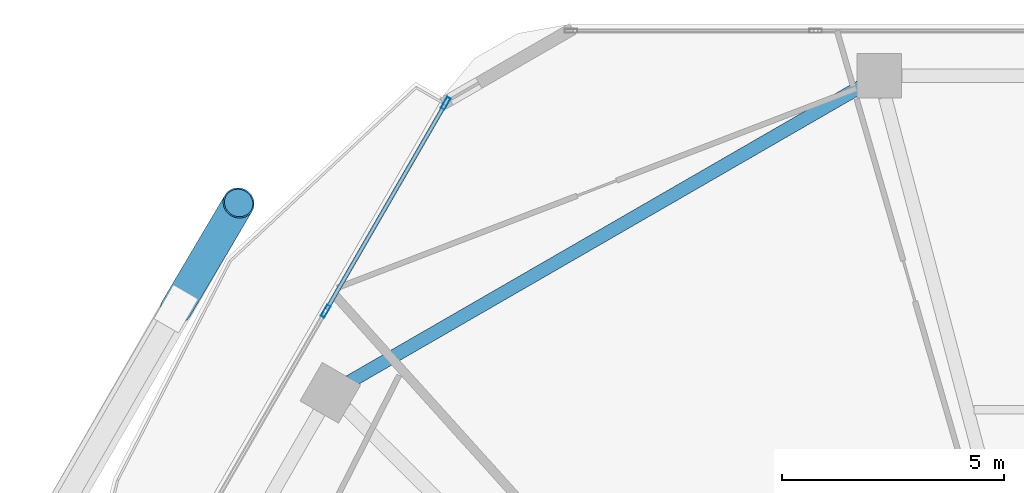
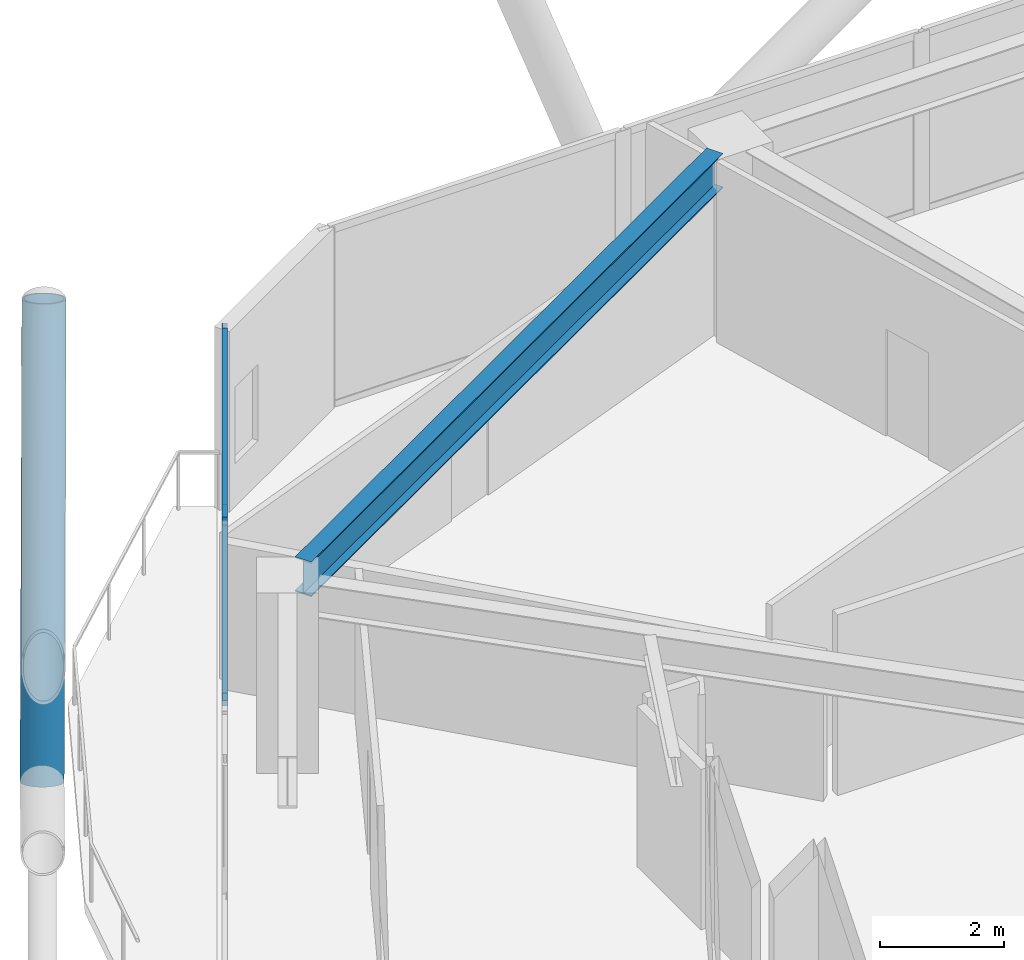
# One storey, part 13 of 28: 5 members, 1 beam, 1 element without a shape of its own.
"""IFC4 building model written with IfcOpenShell, lengths in metres."""

from ifc_helpers import new_model, si_unit, direction, frame, origin, origin_2d, place, context, subcontext, project, spatial, hollow_rectangle, hollow_circle, i_section, extrude, material, material_profile, profile_set, type_object, element, aggregate, save


model = new_model("IFC4")

# Units and contexts
model_context = context("Model", 3, precision=1e-05, world=origin(), true_north=direction((0.0, 1.0)))
body_context = subcontext(model_context, "Body", "Model", "MODEL_VIEW")
ifc_project = project(units=[si_unit("LENGTHUNIT", "METRE"), si_unit("AREAUNIT", "SQUARE_METRE"), si_unit("VOLUMEUNIT", "CUBIC_METRE"), si_unit("PLANEANGLEUNIT", "RADIAN"), si_unit("MASSUNIT", "GRAM", prefix="KILO")], contexts=[model_context])

# Site, building, storey
site_placement = place(None, origin())
site = spatial("IfcSite", under=ifc_project, at=site_placement, CompositionType="ELEMENT")
building_placement = place(site_placement, origin())
building = spatial("IfcBuilding", under=site, at=building_placement, Name="Zuhravey Tower", CompositionType="ELEMENT")
storey_placement = place(building_placement, frame((0.0, 0.0, 154.199951171875)))
storey = spatial("IfcBuildingStorey", under=building, at=storey_placement, Name="L38", CompositionType="ELEMENT", Elevation=154.199951171875)

# Curtain wall, members
ifc_material_1 = material(Name="Thermally broken anodised aluminium", Category="aluminium")
curtain_wall_type = type_object("IfcCurtainWallType", Name="Zone 1-2 Residential Curtain Wall CW3", PredefinedType="NOTDEFINED", material=ifc_material_1)
curtain_wall_placement = place(storey_placement, origin())
curtain_wall = element("IfcCurtainWall", 1, at=curtain_wall_placement, inside=storey, type_object=curtain_wall_type, Name="L38 CW3 CW-L38-F3-2", PredefinedType="NOTDEFINED")
ifc_material_2 = material(Name="Anodised aluminium", Category="aluminium")
ifc_material_profile_1 = material_profile(ifc_material_2, hollow_rectangle(XDim=0.090087890625, YDim=0.284912109375, WallThickness=0.0048828125, at=origin_2d()), Name="ALU-RHS-90x285x5")
ifc_profile_set_1 = profile_set([ifc_material_profile_1], Name="Anodised aluminium")
member_type_1 = type_object("IfcMemberType", Name="Curtain-Wall Mullion 90x180", PredefinedType="MULLION", material=ifc_profile_set_1)
member_1_placement = place(storey_placement, frame((16.668212890625, 52.8828125, 0.0), z_axis=(0.0, 0.0, 1.0), x_axis=(-0.866024933025, 0.500000815378, 0.0)))
member_1 = element("IfcMember", 2, at=member_1_placement, type_object=member_type_1, Name="CW3 mullion 3", PredefinedType="MULLION", context=body_context, shape_type="SweptSolid", body=[
    extrude(hollow_rectangle(XDim=0.090087890625, YDim=0.284912109375, WallThickness=0.0048828125, at=origin_2d()), origin(), (0.0, 0.0, 1.0), 3.550048828125),
])
member_2_placement = place(storey_placement, frame((19.36669921875, 57.556640625, 0.0), z_axis=(0.0, 0.0, 1.0), x_axis=(-0.866024933025, 0.500000815378, 0.0)))
member_2 = element("IfcMember", 3, at=member_2_placement, type_object=member_type_1, Name="CW3 mullion 4", PredefinedType="MULLION", context=body_context, shape_type="SweptSolid", body=[
    extrude(hollow_rectangle(XDim=0.090087890625, YDim=0.284912109375, WallThickness=0.0048828125, at=origin_2d()), origin(), (0.0, 0.0, 1.0), 3.550048828125),
])
ifc_material_profile_2 = material_profile(ifc_material_2, hollow_rectangle(XDim=0.090087890625, YDim=0.14990234375, WallThickness=0.0048828125, at=origin_2d()), Name="ALU-RHS-90x150x5")
ifc_profile_set_2 = profile_set([ifc_material_profile_2], Name="Anodised aluminium")
member_type_2 = type_object("IfcMemberType", Name="Curtain-Wall Transom 90x150", PredefinedType="USERDEFINED", material=ifc_profile_set_2)
member_3_placement = place(storey_placement, frame((16.69091796875, 52.921630859375, 0.045166015625), z_axis=(0.499978648482, 0.866037730738, 0.0), x_axis=(-0.866037730738, 0.499978648482, 0.0)))
member_3 = element("IfcMember", 4, at=member_3_placement, type_object=member_type_2, Name="CW3 transom 3.1", ObjectType="TRANSOM", PredefinedType="USERDEFINED", context=body_context, shape_type="SweptSolid", body=[
    extrude(hollow_rectangle(XDim=0.090087890625, YDim=0.14990234375, WallThickness=0.0048828125, at=origin_2d()), origin(), (0.0, 0.0, 1.0), 5.306884765625),
])
member_4_placement = place(storey_placement, frame((16.69091796875, 52.921630859375, 3.505126953125), z_axis=(0.499978648482, 0.866037730738, 0.0), x_axis=(-0.866037730738, 0.499978648482, 0.0)))
member_4 = element("IfcMember", 5, at=member_4_placement, type_object=member_type_2, Name="CW3 transom 3.2", ObjectType="TRANSOM", PredefinedType="USERDEFINED", context=body_context, shape_type="SweptSolid", body=[
    extrude(hollow_rectangle(XDim=0.090087890625, YDim=0.14990234375, WallThickness=0.0048828125, at=origin_2d()), origin(), (0.0, 0.0, 1.0), 5.306884765625),
])
aggregate(curtain_wall, [member_1, member_2, member_3, member_4])

# Member
ifc_material_3 = material(Name="Steel SM460", Category="steel")
ifc_material_profile_3 = material_profile(ifc_material_3, hollow_circle(Radius=0.355712890625, WallThickness=0.031982421875, at=origin_2d()), Name="CHS-711.2x32")
ifc_profile_set_3 = profile_set([ifc_material_profile_3], Name="Steel SM460")
member_type_3 = type_object("IfcMemberType", Name="Exoskeleton Zone 2 Diagrid CHS711x32", PredefinedType="BRACE", material=ifc_profile_set_3)
member_5_placement = place(storey_placement, frame((13.306884765625, 52.940185546875, -0.44384765625), z_axis=(0.174646436557, 0.295112130419, 0.939365452142), x_axis=(-0.860591717752, 0.509295489217, 0.0)))
element("IfcMember", 6, at=member_5_placement, inside=storey, type_object=member_type_3, Name="L38 Face 3 Diagrid Brace 1", PredefinedType="BRACE", context=body_context, shape_type="SweptSolid", body=[
    extrude(hollow_circle(Radius=0.355712890625, WallThickness=0.031982421875, at=origin_2d()), origin(), (0.0, 0.0, 1.0), 8.0478515625),
])

# Beam
ifc_material_4 = material(Name="Steel SM355", Category="steel")
ifc_material_profile_4 = material_profile(ifc_material_4, i_section(OverallWidth=0.300048828125, OverallDepth=0.679931640625, WebThickness=0.012939453125, FlangeThickness=0.02197265625, at=origin_2d()), Name="H-680x300x13x22")
ifc_profile_set_4 = profile_set([ifc_material_profile_4], Name="Steel SM355")
beam_type = type_object("IfcBeamType", Name="Perimeter Ring Beam H680x300", PredefinedType="BEAM", material=ifc_profile_set_4)
beam_placement = place(storey_placement, frame((28.682373046875, 57.921630859375, 3.2099609375), z_axis=(-0.866022923061, -0.500004296715, 0.0), x_axis=(0.500004296715, -0.866022923061, 0.0)))
element("IfcBeam", 7, at=beam_placement, inside=storey, type_object=beam_type, Name="L38 PB2 BM-L38-PB-04", PredefinedType="BEAM", context=body_context, shape_type="SweptSolid", body=[
    extrude(i_section(OverallWidth=0.300048828125, OverallDepth=0.679931640625, WebThickness=0.012939453125, FlangeThickness=0.02197265625, at=origin_2d()), origin(), (0.0, 0.0, 1.0), 13.2470703125),
])

save(model, "model.ifc")
